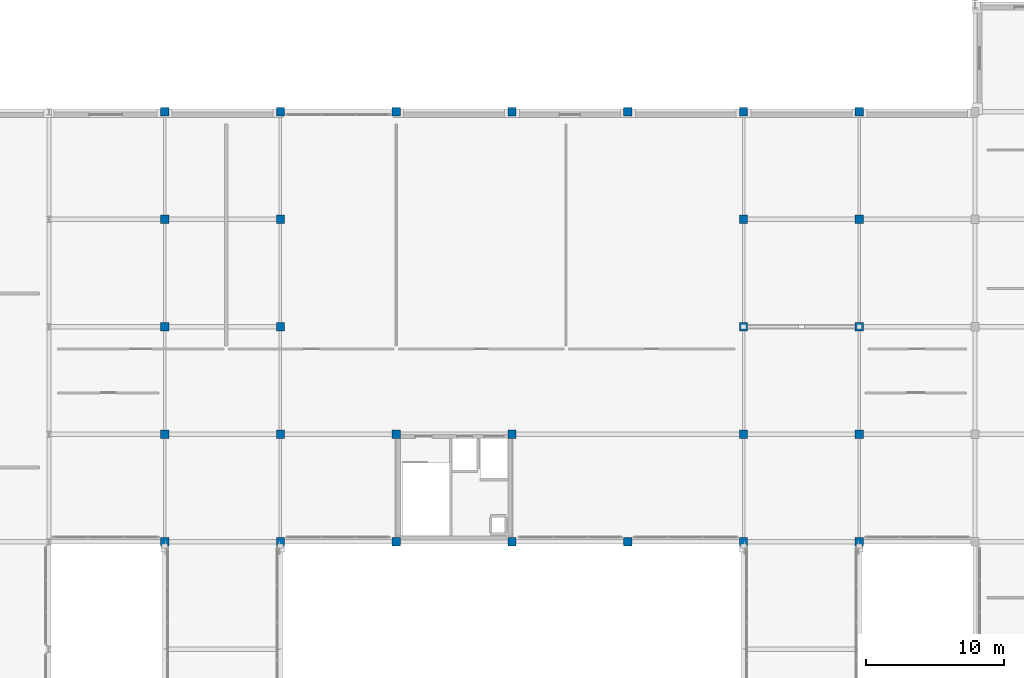
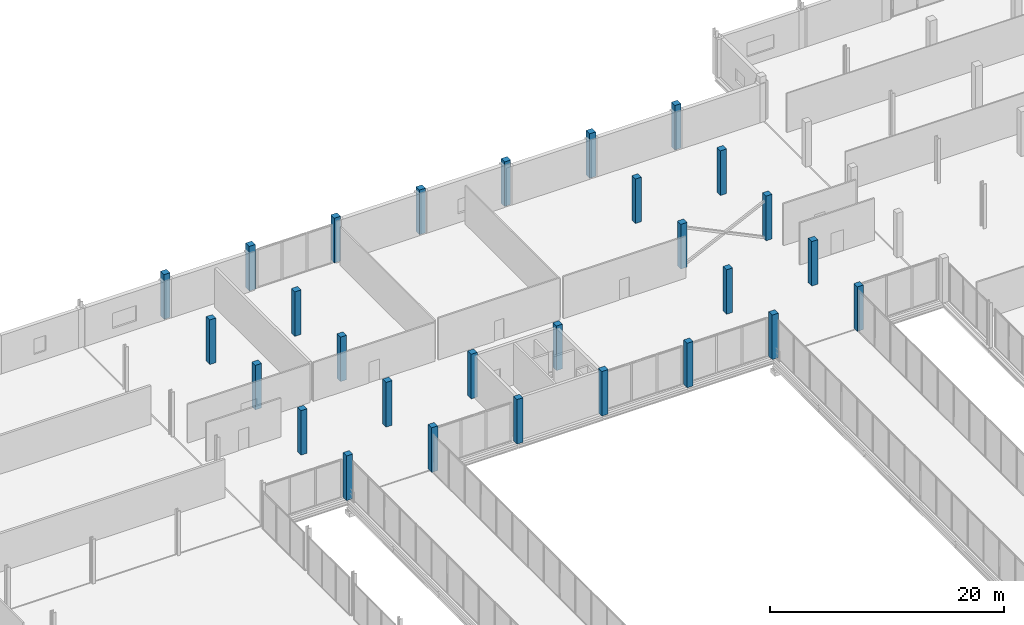
# One storey, part 9 of 98: 28 columns.
"""IFC4 building model written with IfcOpenShell, lengths in metres."""

from ifc_helpers import new_model, si_unit, direction, frame, origin, origin_2d, place, context, subcontext, project, spatial, rectangle, extrude, material, material_profile, profile_set, type_object, element, save


model = new_model("IFC4")

# Units and contexts
model_context = context("Model", 3, precision=1e-05, world=origin(), true_north=direction((0.0, 1.0)))
body_context = subcontext(model_context, "Body", "Model", "MODEL_VIEW")
ifc_project = project(units=[si_unit("LENGTHUNIT", "METRE"), si_unit("AREAUNIT", "SQUARE_METRE"), si_unit("VOLUMEUNIT", "CUBIC_METRE"), si_unit("PLANEANGLEUNIT", "RADIAN"), si_unit("MASSUNIT", "GRAM", prefix="KILO")], contexts=[model_context])

# Site, building, storey
site_placement = place(None, origin())
site = spatial("IfcSite", under=ifc_project, at=site_placement, CompositionType="ELEMENT")
building_placement = place(site_placement, origin())
building = spatial("IfcBuilding", under=site, at=building_placement, Name="Nabrawat Pavilion Hospital", CompositionType="ELEMENT")
storey_placement = place(building_placement, frame((0.0, 0.0, 10.199951171875)))
storey = spatial("IfcBuildingStorey", under=building, at=storey_placement, Name="L02", CompositionType="ELEMENT", Elevation=10.199951171875)

# Columns
ifc_material = material(Name="Concrete C40/50", Category="concrete")
ifc_material_profile = material_profile(ifc_material, rectangle(XDim=0.60009765625, YDim=0.60009765625, at=origin_2d()), Name="RC 600x600")
ifc_profile_set = profile_set([ifc_material_profile], Name="Concrete C40/50")
column_type = type_object("IfcColumnType", Name="Upper Ward RC Column 600x600", PredefinedType="COLUMN", material=ifc_profile_set)
for number, where, z_axis, x_axis, name in (
    (1, (75.60009765625, 85.800048828125, 0.0), (0.0, 0.0, 1.0), (1.0, 0.0, 0.0), "L02 Structural Column G-10-M1"),
    (2, (75.60009765625, 93.60009765625, 0.0), (0.0, 0.0, 1.0), (1.0, 0.0, 0.0), "L02 Structural Column G-10-N"),
    (3, (75.60009765625, 101.39990234375, 0.0), (0.0, 0.0, 1.0), (1.0, 0.0, 0.0), "L02 Structural Column G-10-P"),
    (4, (75.60009765625, 109.199951171875, 0.0), (0.0, 0.0, 1.0), (1.0, 0.0, 0.0), "L02 Structural Column G-10-Q"),
    (5, (75.60009765625, 117.0, 0.0), (0.0, 0.0, 1.0), (1.0, 0.0, 0.0), "L02 Structural Column G-10-R"),
    (6, (84.0, 85.800048828125, 0.0), (0.0, 0.0, 1.0), (1.0, 0.0, 0.0), "L02 Structural Column G-11-M1"),
    (7, (84.0, 93.60009765625, 0.0), (0.0, 0.0, 1.0), (1.0, 0.0, 0.0), "L02 Structural Column G-11-N"),
    (8, (84.0, 117.0, 0.0), (0.0, 0.0, 1.0), (1.0, 0.0, 0.0), "L02 Structural Column G-11-R"),
    (9, (92.39990234375, 85.800048828125, 0.0), (0.0, 0.0, 1.0), (1.0, 0.0, 0.0), "L02 Structural Column G-12-M1"),
    (10, (92.39990234375, 93.60009765625, 0.0), (0.0, 0.0, 1.0), (1.0, 0.0, 0.0), "L02 Structural Column G-12-N"),
    (11, (92.39990234375, 117.0, 0.0), (0.0, 0.0, 1.0), (1.0, 0.0, 0.0), "L02 Structural Column G-12-R"),
    (12, (100.800048828125, 85.800048828125, 0.0), (0.0, 0.0, 1.0), (1.0, 0.0, 0.0), "L02 Structural Column G-13-M1"),
    (13, (100.800048828125, 117.0, 0.0), (0.0, 0.0, 1.0), (1.0, 0.0, 0.0), "L02 Structural Column G-13-R"),
    (14, (109.199951171875, 85.800048828125, 0.0), (0.0, 0.0, 1.0), (1.0, 0.0, 0.0), "L02 Structural Column G-14-M1"),
    (15, (109.199951171875, 93.60009765625, 0.0), (0.0, 0.0, 1.0), (1.0, 0.0, 0.0), "L02 Structural Column G-14-N"),
    (16, (109.199951171875, 101.39990234375, 0.0), (0.0, 0.0, 1.0), (1.0, 0.0, 0.0), "L02 Structural Column G-14-P"),
    (17, (109.199951171875, 109.199951171875, 0.0), (0.0, 0.0, 1.0), (1.0, 0.0, 0.0), "L02 Structural Column G-14-Q"),
    (18, (109.199951171875, 117.0, 0.0), (0.0, 0.0, 1.0), (1.0, 0.0, 0.0), "L02 Structural Column G-14-R"),
    (19, (117.60009765625, 85.800048828125, 0.0), (0.0, 0.0, 1.0), (1.0, 0.0, 0.0), "L02 Structural Column G-15-M1"),
    (20, (117.60009765625, 93.60009765625, 0.0), (0.0, 0.0, 1.0), (1.0, 0.0, 0.0), "L02 Structural Column G-15-N"),
    (21, (117.60009765625, 101.39990234375, 0.0), (0.0, 0.0, 1.0), (1.0, 0.0, 0.0), "L02 Structural Column G-15-P"),
    (22, (117.60009765625, 109.199951171875, 0.0), (0.0, 0.0, 1.0), (1.0, 0.0, 0.0), "L02 Structural Column G-15-Q"),
    (23, (117.60009765625, 117.0, 0.0), (0.0, 0.0, 1.0), (1.0, 0.0, 0.0), "L02 Structural Column G-15-R"),
    (24, (67.199951171875, 85.800048828125, 0.0), (0.0, 0.0, 1.0), (1.0, 0.0, 0.0), "L02 Structural Column G-9-M1"),
    (25, (67.199951171875, 93.60009765625, 0.0), (0.0, 0.0, 1.0), (1.0, 0.0, 0.0), "L02 Structural Column G-9-N"),
    (26, (67.199951171875, 101.39990234375, 0.0), (0.0, 0.0, 1.0), (1.0, 0.0, 0.0), "L02 Structural Column G-9-P"),
    (27, (67.199951171875, 109.199951171875, 0.0), (0.0, 0.0, 1.0), (1.0, 0.0, 0.0), "L02 Structural Column G-9-Q"),
    (28, (67.199951171875, 117.0, 0.0), (0.0, 0.0, 1.0), (1.0, 0.0, 0.0), "L02 Structural Column G-9-R"),
):
    element("IfcColumn", number, at=place(storey_placement, frame(where, z_axis=z_axis, x_axis=x_axis)), inside=storey, type_object=column_type, Name=name, PredefinedType="COLUMN", context=body_context, shape_type="SweptSolid", body=[
        extrude(rectangle(XDim=0.60009765625, YDim=0.60009765625, at=origin_2d()), origin(), (0.0, 0.0, 1.0), 4.650146484375),
    ])

save(model, "model.ifc")
